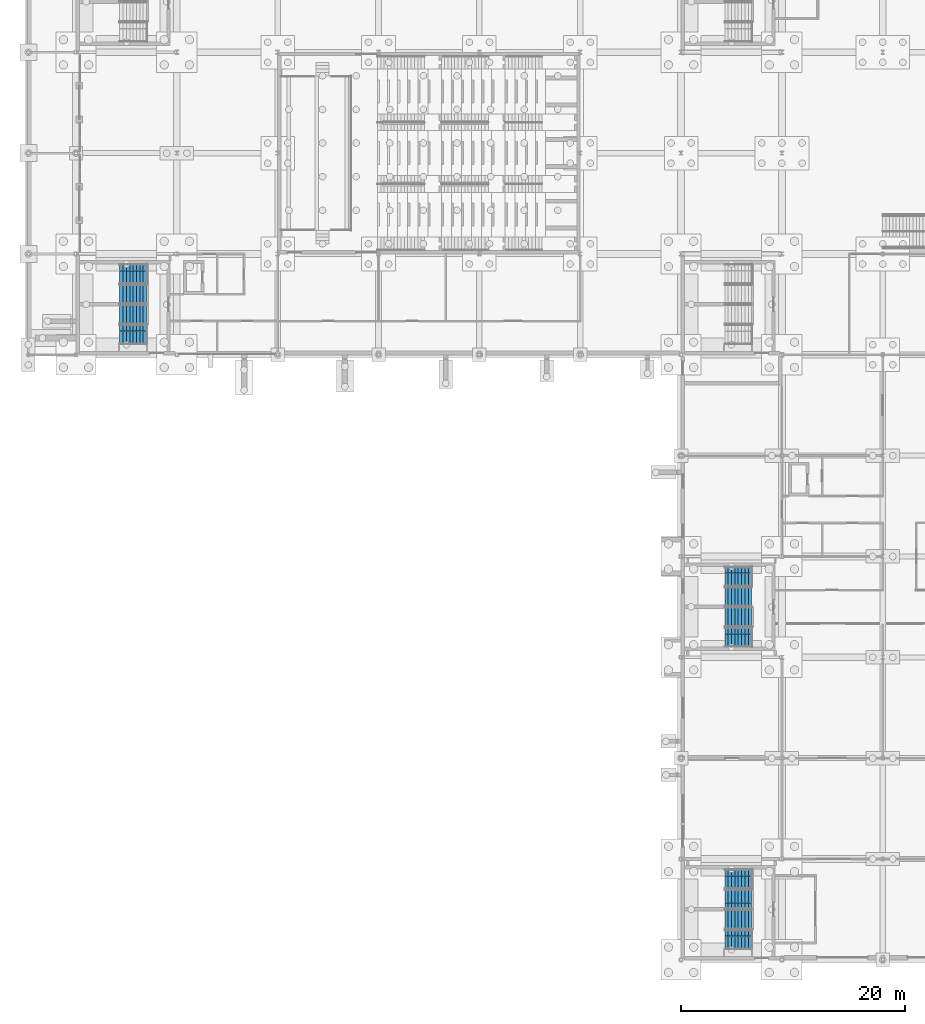
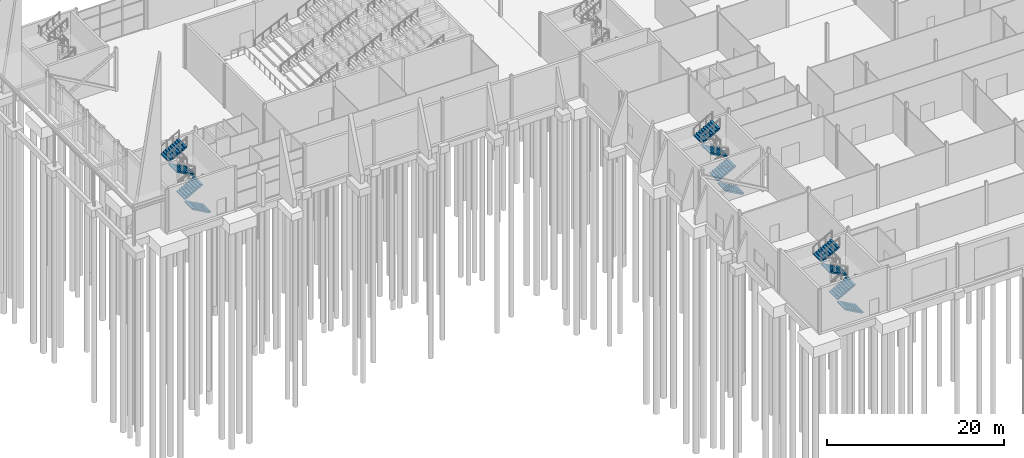
# One storey, part 114 of 139: 12 stair flights, 3 elements without a shape of their own.
"""IFC4 building model written with IfcOpenShell, lengths in metres."""

from ifc_helpers import new_model, si_unit, direction, frame, origin, place, context, subcontext, project, spatial, polyline, outline, extrude, material, type_object, element, aggregate, save


model = new_model("IFC4")

# Units and contexts
model_context = context("Model", 3, precision=1e-05, world=origin(), true_north=direction((0.0, 1.0)))
body_context = subcontext(model_context, "Body", "Model", "MODEL_VIEW")
ifc_project = project(units=[si_unit("LENGTHUNIT", "METRE"), si_unit("AREAUNIT", "SQUARE_METRE"), si_unit("VOLUMEUNIT", "CUBIC_METRE"), si_unit("PLANEANGLEUNIT", "RADIAN"), si_unit("MASSUNIT", "GRAM", prefix="KILO")], contexts=[model_context])

# Site, building, storey
site_placement = place(None, origin())
site = spatial("IfcSite", under=ifc_project, at=site_placement, CompositionType="ELEMENT")
building_placement = place(site_placement, origin())
building = spatial("IfcBuilding", under=site, at=building_placement, Name="Shorebreak Coast Museum", CompositionType="ELEMENT")
storey_placement = place(building_placement, origin())
storey = spatial("IfcBuildingStorey", under=building, at=storey_placement, Name="L00", CompositionType="ELEMENT", Elevation=0.0)

# Stair, stair flights
ifc_material_1 = material(Name="Concrete N40 (40 MPa)", Category="concrete")
stair_type = type_object("IfcStairType", Name="Stair run 6 m", PredefinedType="DOUBLE_RETURN_STAIR", material=ifc_material_1)
stair_1_placement = place(storey_placement, origin())
stair_1 = element("IfcStair", 1, at=stair_1_placement, inside=storey, type_object=stair_type, Name="Exit stair ST05-L00", PredefinedType="DOUBLE_RETURN_STAIR")
ifc_material_2 = material(Name="Concrete N40 (40 MPa)", Category="concrete")
stair_flight_type = type_object("IfcStairFlightType", Name="Stair flight 9 risers 166.67", PredefinedType="STRAIGHT", material=ifc_material_2)
stair_flight_1_placement = place(storey_placement, frame((6.300048828125, 55.800048828125, 0.0), z_axis=(0.0, 0.0, 1.0), x_axis=(-1.0, 0.0, 0.0)))
stair_flight_1 = element("IfcStairFlight", 2, at=stair_flight_1_placement, type_object=stair_flight_type, Name="ST05-L00 flight 1", NumberOfRisers=9, NumberOfTreads=8, PredefinedType="STRAIGHT", RiserHeight=0.166666667, TreadLength=0.3, context=body_context, shape_type="SweptSolid", body=[
    extrude(outline(polyline([(0.0, 0.0), (0.0, 0.166748046875), (0.300048828125, 0.166748046875), (0.300048828125, 0.333251953125), (0.60009765625, 0.333251953125), (0.60009765625, 0.5), (0.89990234375, 0.5), (0.89990234375, 0.666748046875), (1.199951171875, 0.666748046875), (1.199951171875, 0.833251953125), (1.5, 0.833251953125), (1.5, 1.0), (1.800048828125, 1.0), (1.800048828125, 1.166748046875), (2.10009765625, 1.166748046875), (2.10009765625, 1.333251953125), (2.39990234375, 1.333251953125), (2.39990234375, 1.5), (2.39990234375, 1.161865234375), (0.30859375, 0.0), (0.0, 0.0)])), frame((0.0, 0.89990234375, 0.0), z_axis=(0.0, -1.0, 0.0), x_axis=(1.0, 0.0, 0.0)), (0.0, 0.0, 1.0), 0.59326171875),
    extrude(outline(polyline([(0.0, 0.0), (0.0, 0.166748046875), (0.300048828125, 0.166748046875), (0.300048828125, 0.333251953125), (0.60009765625, 0.333251953125), (0.60009765625, 0.5), (0.89990234375, 0.5), (0.89990234375, 0.666748046875), (1.199951171875, 0.666748046875), (1.199951171875, 0.833251953125), (1.5, 0.833251953125), (1.5, 1.0), (1.800048828125, 1.0), (1.800048828125, 1.166748046875), (2.10009765625, 1.166748046875), (2.10009765625, 1.333251953125), (2.39990234375, 1.333251953125), (2.39990234375, 1.5), (2.39990234375, 1.161865234375), (0.30859375, 0.0), (0.0, 0.0)])), frame((0.0, 0.296630859375, 0.0), z_axis=(0.0, -1.0, 0.0), x_axis=(1.0, 0.0, 0.0)), (0.0, 0.0, 1.0), 0.59326171875),
    extrude(outline(polyline([(0.0, 0.0), (0.0, 0.166748046875), (0.300048828125, 0.166748046875), (0.300048828125, 0.333251953125), (0.60009765625, 0.333251953125), (0.60009765625, 0.5), (0.89990234375, 0.5), (0.89990234375, 0.666748046875), (1.199951171875, 0.666748046875), (1.199951171875, 0.833251953125), (1.5, 0.833251953125), (1.5, 1.0), (1.800048828125, 1.0), (1.800048828125, 1.166748046875), (2.10009765625, 1.166748046875), (2.10009765625, 1.333251953125), (2.39990234375, 1.333251953125), (2.39990234375, 1.5), (2.39990234375, 1.161865234375), (0.30859375, 0.0), (0.0, 0.0)])), frame((0.0, -0.306640625, 0.0), z_axis=(0.0, -1.0, 0.0), x_axis=(1.0, 0.0, 0.0)), (0.0, 0.0, 1.0), 0.59326171875),
])
stair_flight_2_placement = place(storey_placement, frame((3.89990234375, 57.60009765625, 1.5), z_axis=(0.0, 0.0, 1.0), x_axis=(1.0, 0.0, 0.0)))
stair_flight_2 = element("IfcStairFlight", 3, at=stair_flight_2_placement, type_object=stair_flight_type, Name="ST05-L00 flight 2", NumberOfRisers=9, NumberOfTreads=8, PredefinedType="STRAIGHT", RiserHeight=0.166666667, TreadLength=0.3, context=body_context, shape_type="SweptSolid", body=[
    extrude(outline(polyline([(0.0, 0.0), (0.0, 0.166748046875), (0.300048828125, 0.166748046875), (0.300048828125, 0.333251953125), (0.60009765625, 0.333251953125), (0.60009765625, 0.5), (0.89990234375, 0.5), (0.89990234375, 0.666748046875), (1.199951171875, 0.666748046875), (1.199951171875, 0.833251953125), (1.5, 0.833251953125), (1.5, 1.0), (1.800048828125, 1.0), (1.800048828125, 1.166748046875), (2.10009765625, 1.166748046875), (2.10009765625, 1.333251953125), (2.39990234375, 1.333251953125), (2.39990234375, 1.5), (2.39990234375, 1.161865234375), (0.30859375, 0.0), (0.0, 0.0)])), frame((0.0, 0.89990234375, 0.0), z_axis=(0.0, -1.0, 0.0), x_axis=(1.0, 0.0, 0.0)), (0.0, 0.0, 1.0), 0.59326171875),
    extrude(outline(polyline([(0.0, 0.0), (0.0, 0.166748046875), (0.300048828125, 0.166748046875), (0.300048828125, 0.333251953125), (0.60009765625, 0.333251953125), (0.60009765625, 0.5), (0.89990234375, 0.5), (0.89990234375, 0.666748046875), (1.199951171875, 0.666748046875), (1.199951171875, 0.833251953125), (1.5, 0.833251953125), (1.5, 1.0), (1.800048828125, 1.0), (1.800048828125, 1.166748046875), (2.10009765625, 1.166748046875), (2.10009765625, 1.333251953125), (2.39990234375, 1.333251953125), (2.39990234375, 1.5), (2.39990234375, 1.161865234375), (0.30859375, 0.0), (0.0, 0.0)])), frame((0.0, 0.296630859375, 0.0), z_axis=(0.0, -1.0, 0.0), x_axis=(1.0, 0.0, 0.0)), (0.0, 0.0, 1.0), 0.59326171875),
    extrude(outline(polyline([(0.0, 0.0), (0.0, 0.166748046875), (0.300048828125, 0.166748046875), (0.300048828125, 0.333251953125), (0.60009765625, 0.333251953125), (0.60009765625, 0.5), (0.89990234375, 0.5), (0.89990234375, 0.666748046875), (1.199951171875, 0.666748046875), (1.199951171875, 0.833251953125), (1.5, 0.833251953125), (1.5, 1.0), (1.800048828125, 1.0), (1.800048828125, 1.166748046875), (2.10009765625, 1.166748046875), (2.10009765625, 1.333251953125), (2.39990234375, 1.333251953125), (2.39990234375, 1.5), (2.39990234375, 1.161865234375), (0.30859375, 0.0), (0.0, 0.0)])), frame((0.0, -0.306640625, 0.0), z_axis=(0.0, -1.0, 0.0), x_axis=(1.0, 0.0, 0.0)), (0.0, 0.0, 1.0), 0.59326171875),
])
stair_flight_3_placement = place(storey_placement, frame((6.300048828125, 59.39990234375, 3.0), z_axis=(0.0, 0.0, 1.0), x_axis=(-1.0, 0.0, 0.0)))
stair_flight_3 = element("IfcStairFlight", 4, at=stair_flight_3_placement, type_object=stair_flight_type, Name="ST05-L00 flight 3", NumberOfRisers=9, NumberOfTreads=8, PredefinedType="STRAIGHT", RiserHeight=0.166666667, TreadLength=0.3, context=body_context, shape_type="SweptSolid", body=[
    extrude(outline(polyline([(0.0, 0.0), (0.0, 0.166748046875), (0.300048828125, 0.166748046875), (0.300048828125, 0.333251953125), (0.60009765625, 0.333251953125), (0.60009765625, 0.5), (0.89990234375, 0.5), (0.89990234375, 0.666748046875), (1.199951171875, 0.666748046875), (1.199951171875, 0.833251953125), (1.5, 0.833251953125), (1.5, 1.0), (1.800048828125, 1.0), (1.800048828125, 1.166748046875), (2.10009765625, 1.166748046875), (2.10009765625, 1.333251953125), (2.39990234375, 1.333251953125), (2.39990234375, 1.5), (2.39990234375, 1.161865234375), (0.30859375, 0.0), (0.0, 0.0)])), frame((0.0, 0.89990234375, 0.0), z_axis=(0.0, -1.0, 0.0), x_axis=(1.0, 0.0, 0.0)), (0.0, 0.0, 1.0), 0.59326171875),
    extrude(outline(polyline([(0.0, 0.0), (0.0, 0.166748046875), (0.300048828125, 0.166748046875), (0.300048828125, 0.333251953125), (0.60009765625, 0.333251953125), (0.60009765625, 0.5), (0.89990234375, 0.5), (0.89990234375, 0.666748046875), (1.199951171875, 0.666748046875), (1.199951171875, 0.833251953125), (1.5, 0.833251953125), (1.5, 1.0), (1.800048828125, 1.0), (1.800048828125, 1.166748046875), (2.10009765625, 1.166748046875), (2.10009765625, 1.333251953125), (2.39990234375, 1.333251953125), (2.39990234375, 1.5), (2.39990234375, 1.161865234375), (0.30859375, 0.0), (0.0, 0.0)])), frame((0.0, 0.296630859375, 0.0), z_axis=(0.0, -1.0, 0.0), x_axis=(1.0, 0.0, 0.0)), (0.0, 0.0, 1.0), 0.59326171875),
    extrude(outline(polyline([(0.0, 0.0), (0.0, 0.166748046875), (0.300048828125, 0.166748046875), (0.300048828125, 0.333251953125), (0.60009765625, 0.333251953125), (0.60009765625, 0.5), (0.89990234375, 0.5), (0.89990234375, 0.666748046875), (1.199951171875, 0.666748046875), (1.199951171875, 0.833251953125), (1.5, 0.833251953125), (1.5, 1.0), (1.800048828125, 1.0), (1.800048828125, 1.166748046875), (2.10009765625, 1.166748046875), (2.10009765625, 1.333251953125), (2.39990234375, 1.333251953125), (2.39990234375, 1.5), (2.39990234375, 1.161865234375), (0.30859375, 0.0), (0.0, 0.0)])), frame((0.0, -0.306640625, 0.0), z_axis=(0.0, -1.0, 0.0), x_axis=(1.0, 0.0, 0.0)), (0.0, 0.0, 1.0), 0.59326171875),
])
stair_flight_4_placement = place(storey_placement, frame((3.89990234375, 61.199951171875, 4.5), z_axis=(0.0, 0.0, 1.0), x_axis=(1.0, 0.0, 0.0)))
stair_flight_4 = element("IfcStairFlight", 5, at=stair_flight_4_placement, type_object=stair_flight_type, Name="ST05-L00 flight 4", NumberOfRisers=9, NumberOfTreads=8, PredefinedType="STRAIGHT", RiserHeight=0.166666667, TreadLength=0.3, context=body_context, shape_type="SweptSolid", body=[
    extrude(outline(polyline([(0.0, 0.0), (0.0, 0.166748046875), (0.300048828125, 0.166748046875), (0.300048828125, 0.333251953125), (0.60009765625, 0.333251953125), (0.60009765625, 0.5), (0.89990234375, 0.5), (0.89990234375, 0.666748046875), (1.199951171875, 0.666748046875), (1.199951171875, 0.833251953125), (1.5, 0.833251953125), (1.5, 1.0), (1.800048828125, 1.0), (1.800048828125, 1.166748046875), (2.10009765625, 1.166748046875), (2.10009765625, 1.333251953125), (2.39990234375, 1.333251953125), (2.39990234375, 1.5), (2.39990234375, 1.161865234375), (0.30859375, 0.0), (0.0, 0.0)])), frame((0.0, 0.89990234375, 0.0), z_axis=(0.0, -1.0, 0.0), x_axis=(1.0, 0.0, 0.0)), (0.0, 0.0, 1.0), 0.59326171875),
    extrude(outline(polyline([(0.0, 0.0), (0.0, 0.166748046875), (0.300048828125, 0.166748046875), (0.300048828125, 0.333251953125), (0.60009765625, 0.333251953125), (0.60009765625, 0.5), (0.89990234375, 0.5), (0.89990234375, 0.666748046875), (1.199951171875, 0.666748046875), (1.199951171875, 0.833251953125), (1.5, 0.833251953125), (1.5, 1.0), (1.800048828125, 1.0), (1.800048828125, 1.166748046875), (2.10009765625, 1.166748046875), (2.10009765625, 1.333251953125), (2.39990234375, 1.333251953125), (2.39990234375, 1.5), (2.39990234375, 1.161865234375), (0.30859375, 0.0), (0.0, 0.0)])), frame((0.0, 0.296630859375, 0.0), z_axis=(0.0, -1.0, 0.0), x_axis=(1.0, 0.0, 0.0)), (0.0, 0.0, 1.0), 0.59326171875),
    extrude(outline(polyline([(0.0, 0.0), (0.0, 0.166748046875), (0.300048828125, 0.166748046875), (0.300048828125, 0.333251953125), (0.60009765625, 0.333251953125), (0.60009765625, 0.5), (0.89990234375, 0.5), (0.89990234375, 0.666748046875), (1.199951171875, 0.666748046875), (1.199951171875, 0.833251953125), (1.5, 0.833251953125), (1.5, 1.0), (1.800048828125, 1.0), (1.800048828125, 1.166748046875), (2.10009765625, 1.166748046875), (2.10009765625, 1.333251953125), (2.39990234375, 1.333251953125), (2.39990234375, 1.5), (2.39990234375, 1.161865234375), (0.30859375, 0.0), (0.0, 0.0)])), frame((0.0, -0.306640625, 0.0), z_axis=(0.0, -1.0, 0.0), x_axis=(1.0, 0.0, 0.0)), (0.0, 0.0, 1.0), 0.59326171875),
])
aggregate(stair_1, [stair_flight_1, stair_flight_2, stair_flight_3, stair_flight_4])

stair_2_placement = place(storey_placement, origin())
stair_2 = element("IfcStair", 6, at=stair_2_placement, inside=storey, type_object=stair_type, Name="Exit stair ST11-L00", PredefinedType="DOUBLE_RETURN_STAIR")
stair_flight_5_placement = place(storey_placement, frame((60.300048828125, 1.800048828125, 0.0), z_axis=(0.0, 0.0, 1.0), x_axis=(-1.0, 0.0, 0.0)))
stair_flight_5 = element("IfcStairFlight", 7, at=stair_flight_5_placement, type_object=stair_flight_type, Name="ST11-L00 flight 1", NumberOfRisers=9, NumberOfTreads=8, PredefinedType="STRAIGHT", RiserHeight=0.166666667, TreadLength=0.3, context=body_context, shape_type="SweptSolid", body=[
    extrude(outline(polyline([(0.0, 0.0), (0.0, 0.166748046875), (0.300048828125, 0.166748046875), (0.300048828125, 0.333251953125), (0.60009765625, 0.333251953125), (0.60009765625, 0.5), (0.89990234375, 0.5), (0.89990234375, 0.666748046875), (1.199951171875, 0.666748046875), (1.199951171875, 0.833251953125), (1.5, 0.833251953125), (1.5, 1.0), (1.800048828125, 1.0), (1.800048828125, 1.166748046875), (2.10009765625, 1.166748046875), (2.10009765625, 1.333251953125), (2.39990234375, 1.333251953125), (2.39990234375, 1.5), (2.39990234375, 1.161865234375), (0.30859375, 0.0), (0.0, 0.0)])), frame((0.0, 0.89990234375, 0.0), z_axis=(0.0, -1.0, 0.0), x_axis=(1.0, 0.0, 0.0)), (0.0, 0.0, 1.0), 0.59326171875),
    extrude(outline(polyline([(0.0, 0.0), (0.0, 0.166748046875), (0.300048828125, 0.166748046875), (0.300048828125, 0.333251953125), (0.60009765625, 0.333251953125), (0.60009765625, 0.5), (0.89990234375, 0.5), (0.89990234375, 0.666748046875), (1.199951171875, 0.666748046875), (1.199951171875, 0.833251953125), (1.5, 0.833251953125), (1.5, 1.0), (1.800048828125, 1.0), (1.800048828125, 1.166748046875), (2.10009765625, 1.166748046875), (2.10009765625, 1.333251953125), (2.39990234375, 1.333251953125), (2.39990234375, 1.5), (2.39990234375, 1.161865234375), (0.30859375, 0.0), (0.0, 0.0)])), frame((0.0, 0.296630859375, 0.0), z_axis=(0.0, -1.0, 0.0), x_axis=(1.0, 0.0, 0.0)), (0.0, 0.0, 1.0), 0.59326171875),
    extrude(outline(polyline([(0.0, 0.0), (0.0, 0.166748046875), (0.300048828125, 0.166748046875), (0.300048828125, 0.333251953125), (0.60009765625, 0.333251953125), (0.60009765625, 0.5), (0.89990234375, 0.5), (0.89990234375, 0.666748046875), (1.199951171875, 0.666748046875), (1.199951171875, 0.833251953125), (1.5, 0.833251953125), (1.5, 1.0), (1.800048828125, 1.0), (1.800048828125, 1.166748046875), (2.10009765625, 1.166748046875), (2.10009765625, 1.333251953125), (2.39990234375, 1.333251953125), (2.39990234375, 1.5), (2.39990234375, 1.161865234375), (0.30859375, 0.0), (0.0, 0.0)])), frame((0.0, -0.306640625, 0.0), z_axis=(0.0, -1.0, 0.0), x_axis=(1.0, 0.0, 0.0)), (0.0, 0.0, 1.0), 0.59326171875),
])
stair_flight_6_placement = place(storey_placement, frame((57.89990234375, 3.60009765625, 1.5), z_axis=(0.0, 0.0, 1.0), x_axis=(1.0, 0.0, 0.0)))
stair_flight_6 = element("IfcStairFlight", 8, at=stair_flight_6_placement, type_object=stair_flight_type, Name="ST11-L00 flight 2", NumberOfRisers=9, NumberOfTreads=8, PredefinedType="STRAIGHT", RiserHeight=0.166666667, TreadLength=0.3, context=body_context, shape_type="SweptSolid", body=[
    extrude(outline(polyline([(0.0, 0.0), (0.0, 0.166748046875), (0.300048828125, 0.166748046875), (0.300048828125, 0.333251953125), (0.60009765625, 0.333251953125), (0.60009765625, 0.5), (0.89990234375, 0.5), (0.89990234375, 0.666748046875), (1.199951171875, 0.666748046875), (1.199951171875, 0.833251953125), (1.5, 0.833251953125), (1.5, 1.0), (1.800048828125, 1.0), (1.800048828125, 1.166748046875), (2.10009765625, 1.166748046875), (2.10009765625, 1.333251953125), (2.39990234375, 1.333251953125), (2.39990234375, 1.5), (2.39990234375, 1.161865234375), (0.30859375, 0.0), (0.0, 0.0)])), frame((0.0, 0.89990234375, 0.0), z_axis=(0.0, -1.0, 0.0), x_axis=(1.0, 0.0, 0.0)), (0.0, 0.0, 1.0), 0.59326171875),
    extrude(outline(polyline([(0.0, 0.0), (0.0, 0.166748046875), (0.300048828125, 0.166748046875), (0.300048828125, 0.333251953125), (0.60009765625, 0.333251953125), (0.60009765625, 0.5), (0.89990234375, 0.5), (0.89990234375, 0.666748046875), (1.199951171875, 0.666748046875), (1.199951171875, 0.833251953125), (1.5, 0.833251953125), (1.5, 1.0), (1.800048828125, 1.0), (1.800048828125, 1.166748046875), (2.10009765625, 1.166748046875), (2.10009765625, 1.333251953125), (2.39990234375, 1.333251953125), (2.39990234375, 1.5), (2.39990234375, 1.161865234375), (0.30859375, 0.0), (0.0, 0.0)])), frame((0.0, 0.296630859375, 0.0), z_axis=(0.0, -1.0, 0.0), x_axis=(1.0, 0.0, 0.0)), (0.0, 0.0, 1.0), 0.59326171875),
    extrude(outline(polyline([(0.0, 0.0), (0.0, 0.166748046875), (0.300048828125, 0.166748046875), (0.300048828125, 0.333251953125), (0.60009765625, 0.333251953125), (0.60009765625, 0.5), (0.89990234375, 0.5), (0.89990234375, 0.666748046875), (1.199951171875, 0.666748046875), (1.199951171875, 0.833251953125), (1.5, 0.833251953125), (1.5, 1.0), (1.800048828125, 1.0), (1.800048828125, 1.166748046875), (2.10009765625, 1.166748046875), (2.10009765625, 1.333251953125), (2.39990234375, 1.333251953125), (2.39990234375, 1.5), (2.39990234375, 1.161865234375), (0.30859375, 0.0), (0.0, 0.0)])), frame((0.0, -0.306640625, 0.0), z_axis=(0.0, -1.0, 0.0), x_axis=(1.0, 0.0, 0.0)), (0.0, 0.0, 1.0), 0.59326171875),
])
stair_flight_7_placement = place(storey_placement, frame((60.300048828125, 5.39990234375, 3.0), z_axis=(0.0, 0.0, 1.0), x_axis=(-1.0, 0.0, 0.0)))
stair_flight_7 = element("IfcStairFlight", 9, at=stair_flight_7_placement, type_object=stair_flight_type, Name="ST11-L00 flight 3", NumberOfRisers=9, NumberOfTreads=8, PredefinedType="STRAIGHT", RiserHeight=0.166666667, TreadLength=0.3, context=body_context, shape_type="SweptSolid", body=[
    extrude(outline(polyline([(0.0, 0.0), (0.0, 0.166748046875), (0.300048828125, 0.166748046875), (0.300048828125, 0.333251953125), (0.60009765625, 0.333251953125), (0.60009765625, 0.5), (0.89990234375, 0.5), (0.89990234375, 0.666748046875), (1.199951171875, 0.666748046875), (1.199951171875, 0.833251953125), (1.5, 0.833251953125), (1.5, 1.0), (1.800048828125, 1.0), (1.800048828125, 1.166748046875), (2.10009765625, 1.166748046875), (2.10009765625, 1.333251953125), (2.39990234375, 1.333251953125), (2.39990234375, 1.5), (2.39990234375, 1.161865234375), (0.30859375, 0.0), (0.0, 0.0)])), frame((0.0, 0.89990234375, 0.0), z_axis=(0.0, -1.0, 0.0), x_axis=(1.0, 0.0, 0.0)), (0.0, 0.0, 1.0), 0.59326171875),
    extrude(outline(polyline([(0.0, 0.0), (0.0, 0.166748046875), (0.300048828125, 0.166748046875), (0.300048828125, 0.333251953125), (0.60009765625, 0.333251953125), (0.60009765625, 0.5), (0.89990234375, 0.5), (0.89990234375, 0.666748046875), (1.199951171875, 0.666748046875), (1.199951171875, 0.833251953125), (1.5, 0.833251953125), (1.5, 1.0), (1.800048828125, 1.0), (1.800048828125, 1.166748046875), (2.10009765625, 1.166748046875), (2.10009765625, 1.333251953125), (2.39990234375, 1.333251953125), (2.39990234375, 1.5), (2.39990234375, 1.161865234375), (0.30859375, 0.0), (0.0, 0.0)])), frame((0.0, 0.296630859375, 0.0), z_axis=(0.0, -1.0, 0.0), x_axis=(1.0, 0.0, 0.0)), (0.0, 0.0, 1.0), 0.59326171875),
    extrude(outline(polyline([(0.0, 0.0), (0.0, 0.166748046875), (0.300048828125, 0.166748046875), (0.300048828125, 0.333251953125), (0.60009765625, 0.333251953125), (0.60009765625, 0.5), (0.89990234375, 0.5), (0.89990234375, 0.666748046875), (1.199951171875, 0.666748046875), (1.199951171875, 0.833251953125), (1.5, 0.833251953125), (1.5, 1.0), (1.800048828125, 1.0), (1.800048828125, 1.166748046875), (2.10009765625, 1.166748046875), (2.10009765625, 1.333251953125), (2.39990234375, 1.333251953125), (2.39990234375, 1.5), (2.39990234375, 1.161865234375), (0.30859375, 0.0), (0.0, 0.0)])), frame((0.0, -0.306640625, 0.0), z_axis=(0.0, -1.0, 0.0), x_axis=(1.0, 0.0, 0.0)), (0.0, 0.0, 1.0), 0.59326171875),
])
stair_flight_8_placement = place(storey_placement, frame((57.89990234375, 7.199951171875, 4.5), z_axis=(0.0, 0.0, 1.0), x_axis=(1.0, 0.0, 0.0)))
stair_flight_8 = element("IfcStairFlight", 10, at=stair_flight_8_placement, type_object=stair_flight_type, Name="ST11-L00 flight 4", NumberOfRisers=9, NumberOfTreads=8, PredefinedType="STRAIGHT", RiserHeight=0.166666667, TreadLength=0.3, context=body_context, shape_type="SweptSolid", body=[
    extrude(outline(polyline([(0.0, 0.0), (0.0, 0.166748046875), (0.300048828125, 0.166748046875), (0.300048828125, 0.333251953125), (0.60009765625, 0.333251953125), (0.60009765625, 0.5), (0.89990234375, 0.5), (0.89990234375, 0.666748046875), (1.199951171875, 0.666748046875), (1.199951171875, 0.833251953125), (1.5, 0.833251953125), (1.5, 1.0), (1.800048828125, 1.0), (1.800048828125, 1.166748046875), (2.10009765625, 1.166748046875), (2.10009765625, 1.333251953125), (2.39990234375, 1.333251953125), (2.39990234375, 1.5), (2.39990234375, 1.161865234375), (0.30859375, 0.0), (0.0, 0.0)])), frame((0.0, 0.89990234375, 0.0), z_axis=(0.0, -1.0, 0.0), x_axis=(1.0, 0.0, 0.0)), (0.0, 0.0, 1.0), 0.59326171875),
    extrude(outline(polyline([(0.0, 0.0), (0.0, 0.166748046875), (0.300048828125, 0.166748046875), (0.300048828125, 0.333251953125), (0.60009765625, 0.333251953125), (0.60009765625, 0.5), (0.89990234375, 0.5), (0.89990234375, 0.666748046875), (1.199951171875, 0.666748046875), (1.199951171875, 0.833251953125), (1.5, 0.833251953125), (1.5, 1.0), (1.800048828125, 1.0), (1.800048828125, 1.166748046875), (2.10009765625, 1.166748046875), (2.10009765625, 1.333251953125), (2.39990234375, 1.333251953125), (2.39990234375, 1.5), (2.39990234375, 1.161865234375), (0.30859375, 0.0), (0.0, 0.0)])), frame((0.0, 0.296630859375, 0.0), z_axis=(0.0, -1.0, 0.0), x_axis=(1.0, 0.0, 0.0)), (0.0, 0.0, 1.0), 0.59326171875),
    extrude(outline(polyline([(0.0, 0.0), (0.0, 0.166748046875), (0.300048828125, 0.166748046875), (0.300048828125, 0.333251953125), (0.60009765625, 0.333251953125), (0.60009765625, 0.5), (0.89990234375, 0.5), (0.89990234375, 0.666748046875), (1.199951171875, 0.666748046875), (1.199951171875, 0.833251953125), (1.5, 0.833251953125), (1.5, 1.0), (1.800048828125, 1.0), (1.800048828125, 1.166748046875), (2.10009765625, 1.166748046875), (2.10009765625, 1.333251953125), (2.39990234375, 1.333251953125), (2.39990234375, 1.5), (2.39990234375, 1.161865234375), (0.30859375, 0.0), (0.0, 0.0)])), frame((0.0, -0.306640625, 0.0), z_axis=(0.0, -1.0, 0.0), x_axis=(1.0, 0.0, 0.0)), (0.0, 0.0, 1.0), 0.59326171875),
])
aggregate(stair_2, [stair_flight_5, stair_flight_6, stair_flight_7, stair_flight_8])

stair_3_placement = place(storey_placement, origin())
stair_3 = element("IfcStair", 11, at=stair_3_placement, inside=storey, type_object=stair_type, Name="Exit stair ST13-L00", PredefinedType="DOUBLE_RETURN_STAIR")
stair_flight_9_placement = place(storey_placement, frame((60.300048828125, 28.800048828125, 0.0), z_axis=(0.0, 0.0, 1.0), x_axis=(-1.0, 0.0, 0.0)))
stair_flight_9 = element("IfcStairFlight", 12, at=stair_flight_9_placement, type_object=stair_flight_type, Name="ST13-L00 flight 1", NumberOfRisers=9, NumberOfTreads=8, PredefinedType="STRAIGHT", RiserHeight=0.166666667, TreadLength=0.3, context=body_context, shape_type="SweptSolid", body=[
    extrude(outline(polyline([(0.0, 0.0), (0.0, 0.166748046875), (0.300048828125, 0.166748046875), (0.300048828125, 0.333251953125), (0.60009765625, 0.333251953125), (0.60009765625, 0.5), (0.89990234375, 0.5), (0.89990234375, 0.666748046875), (1.199951171875, 0.666748046875), (1.199951171875, 0.833251953125), (1.5, 0.833251953125), (1.5, 1.0), (1.800048828125, 1.0), (1.800048828125, 1.166748046875), (2.10009765625, 1.166748046875), (2.10009765625, 1.333251953125), (2.39990234375, 1.333251953125), (2.39990234375, 1.5), (2.39990234375, 1.161865234375), (0.30859375, 0.0), (0.0, 0.0)])), frame((0.0, 0.89990234375, 0.0), z_axis=(0.0, -1.0, 0.0), x_axis=(1.0, 0.0, 0.0)), (0.0, 0.0, 1.0), 0.59326171875),
    extrude(outline(polyline([(0.0, 0.0), (0.0, 0.166748046875), (0.300048828125, 0.166748046875), (0.300048828125, 0.333251953125), (0.60009765625, 0.333251953125), (0.60009765625, 0.5), (0.89990234375, 0.5), (0.89990234375, 0.666748046875), (1.199951171875, 0.666748046875), (1.199951171875, 0.833251953125), (1.5, 0.833251953125), (1.5, 1.0), (1.800048828125, 1.0), (1.800048828125, 1.166748046875), (2.10009765625, 1.166748046875), (2.10009765625, 1.333251953125), (2.39990234375, 1.333251953125), (2.39990234375, 1.5), (2.39990234375, 1.161865234375), (0.30859375, 0.0), (0.0, 0.0)])), frame((0.0, 0.296630859375, 0.0), z_axis=(0.0, -1.0, 0.0), x_axis=(1.0, 0.0, 0.0)), (0.0, 0.0, 1.0), 0.59326171875),
    extrude(outline(polyline([(0.0, 0.0), (0.0, 0.166748046875), (0.300048828125, 0.166748046875), (0.300048828125, 0.333251953125), (0.60009765625, 0.333251953125), (0.60009765625, 0.5), (0.89990234375, 0.5), (0.89990234375, 0.666748046875), (1.199951171875, 0.666748046875), (1.199951171875, 0.833251953125), (1.5, 0.833251953125), (1.5, 1.0), (1.800048828125, 1.0), (1.800048828125, 1.166748046875), (2.10009765625, 1.166748046875), (2.10009765625, 1.333251953125), (2.39990234375, 1.333251953125), (2.39990234375, 1.5), (2.39990234375, 1.161865234375), (0.30859375, 0.0), (0.0, 0.0)])), frame((0.0, -0.306640625, 0.0), z_axis=(0.0, -1.0, 0.0), x_axis=(1.0, 0.0, 0.0)), (0.0, 0.0, 1.0), 0.59326171875),
])
stair_flight_10_placement = place(storey_placement, frame((57.89990234375, 30.60009765625, 1.5), z_axis=(0.0, 0.0, 1.0), x_axis=(1.0, 0.0, 0.0)))
stair_flight_10 = element("IfcStairFlight", 13, at=stair_flight_10_placement, type_object=stair_flight_type, Name="ST13-L00 flight 2", NumberOfRisers=9, NumberOfTreads=8, PredefinedType="STRAIGHT", RiserHeight=0.166666667, TreadLength=0.3, context=body_context, shape_type="SweptSolid", body=[
    extrude(outline(polyline([(0.0, 0.0), (0.0, 0.166748046875), (0.300048828125, 0.166748046875), (0.300048828125, 0.333251953125), (0.60009765625, 0.333251953125), (0.60009765625, 0.5), (0.89990234375, 0.5), (0.89990234375, 0.666748046875), (1.199951171875, 0.666748046875), (1.199951171875, 0.833251953125), (1.5, 0.833251953125), (1.5, 1.0), (1.800048828125, 1.0), (1.800048828125, 1.166748046875), (2.10009765625, 1.166748046875), (2.10009765625, 1.333251953125), (2.39990234375, 1.333251953125), (2.39990234375, 1.5), (2.39990234375, 1.161865234375), (0.30859375, 0.0), (0.0, 0.0)])), frame((0.0, 0.89990234375, 0.0), z_axis=(0.0, -1.0, 0.0), x_axis=(1.0, 0.0, 0.0)), (0.0, 0.0, 1.0), 0.59326171875),
    extrude(outline(polyline([(0.0, 0.0), (0.0, 0.166748046875), (0.300048828125, 0.166748046875), (0.300048828125, 0.333251953125), (0.60009765625, 0.333251953125), (0.60009765625, 0.5), (0.89990234375, 0.5), (0.89990234375, 0.666748046875), (1.199951171875, 0.666748046875), (1.199951171875, 0.833251953125), (1.5, 0.833251953125), (1.5, 1.0), (1.800048828125, 1.0), (1.800048828125, 1.166748046875), (2.10009765625, 1.166748046875), (2.10009765625, 1.333251953125), (2.39990234375, 1.333251953125), (2.39990234375, 1.5), (2.39990234375, 1.161865234375), (0.30859375, 0.0), (0.0, 0.0)])), frame((0.0, 0.296630859375, 0.0), z_axis=(0.0, -1.0, 0.0), x_axis=(1.0, 0.0, 0.0)), (0.0, 0.0, 1.0), 0.59326171875),
    extrude(outline(polyline([(0.0, 0.0), (0.0, 0.166748046875), (0.300048828125, 0.166748046875), (0.300048828125, 0.333251953125), (0.60009765625, 0.333251953125), (0.60009765625, 0.5), (0.89990234375, 0.5), (0.89990234375, 0.666748046875), (1.199951171875, 0.666748046875), (1.199951171875, 0.833251953125), (1.5, 0.833251953125), (1.5, 1.0), (1.800048828125, 1.0), (1.800048828125, 1.166748046875), (2.10009765625, 1.166748046875), (2.10009765625, 1.333251953125), (2.39990234375, 1.333251953125), (2.39990234375, 1.5), (2.39990234375, 1.161865234375), (0.30859375, 0.0), (0.0, 0.0)])), frame((0.0, -0.306640625, 0.0), z_axis=(0.0, -1.0, 0.0), x_axis=(1.0, 0.0, 0.0)), (0.0, 0.0, 1.0), 0.59326171875),
])
stair_flight_11_placement = place(storey_placement, frame((60.300048828125, 32.39990234375, 3.0), z_axis=(0.0, 0.0, 1.0), x_axis=(-1.0, 0.0, 0.0)))
stair_flight_11 = element("IfcStairFlight", 14, at=stair_flight_11_placement, type_object=stair_flight_type, Name="ST13-L00 flight 3", NumberOfRisers=9, NumberOfTreads=8, PredefinedType="STRAIGHT", RiserHeight=0.166666667, TreadLength=0.3, context=body_context, shape_type="SweptSolid", body=[
    extrude(outline(polyline([(0.0, 0.0), (0.0, 0.166748046875), (0.300048828125, 0.166748046875), (0.300048828125, 0.333251953125), (0.60009765625, 0.333251953125), (0.60009765625, 0.5), (0.89990234375, 0.5), (0.89990234375, 0.666748046875), (1.199951171875, 0.666748046875), (1.199951171875, 0.833251953125), (1.5, 0.833251953125), (1.5, 1.0), (1.800048828125, 1.0), (1.800048828125, 1.166748046875), (2.10009765625, 1.166748046875), (2.10009765625, 1.333251953125), (2.39990234375, 1.333251953125), (2.39990234375, 1.5), (2.39990234375, 1.161865234375), (0.30859375, 0.0), (0.0, 0.0)])), frame((0.0, 0.89990234375, 0.0), z_axis=(0.0, -1.0, 0.0), x_axis=(1.0, 0.0, 0.0)), (0.0, 0.0, 1.0), 0.59326171875),
    extrude(outline(polyline([(0.0, 0.0), (0.0, 0.166748046875), (0.300048828125, 0.166748046875), (0.300048828125, 0.333251953125), (0.60009765625, 0.333251953125), (0.60009765625, 0.5), (0.89990234375, 0.5), (0.89990234375, 0.666748046875), (1.199951171875, 0.666748046875), (1.199951171875, 0.833251953125), (1.5, 0.833251953125), (1.5, 1.0), (1.800048828125, 1.0), (1.800048828125, 1.166748046875), (2.10009765625, 1.166748046875), (2.10009765625, 1.333251953125), (2.39990234375, 1.333251953125), (2.39990234375, 1.5), (2.39990234375, 1.161865234375), (0.30859375, 0.0), (0.0, 0.0)])), frame((0.0, 0.296630859375, 0.0), z_axis=(0.0, -1.0, 0.0), x_axis=(1.0, 0.0, 0.0)), (0.0, 0.0, 1.0), 0.59326171875),
    extrude(outline(polyline([(0.0, 0.0), (0.0, 0.166748046875), (0.300048828125, 0.166748046875), (0.300048828125, 0.333251953125), (0.60009765625, 0.333251953125), (0.60009765625, 0.5), (0.89990234375, 0.5), (0.89990234375, 0.666748046875), (1.199951171875, 0.666748046875), (1.199951171875, 0.833251953125), (1.5, 0.833251953125), (1.5, 1.0), (1.800048828125, 1.0), (1.800048828125, 1.166748046875), (2.10009765625, 1.166748046875), (2.10009765625, 1.333251953125), (2.39990234375, 1.333251953125), (2.39990234375, 1.5), (2.39990234375, 1.161865234375), (0.30859375, 0.0), (0.0, 0.0)])), frame((0.0, -0.306640625, 0.0), z_axis=(0.0, -1.0, 0.0), x_axis=(1.0, 0.0, 0.0)), (0.0, 0.0, 1.0), 0.59326171875),
])
stair_flight_12_placement = place(storey_placement, frame((57.89990234375, 34.199951171875, 4.5), z_axis=(0.0, 0.0, 1.0), x_axis=(1.0, 0.0, 0.0)))
stair_flight_12 = element("IfcStairFlight", 15, at=stair_flight_12_placement, type_object=stair_flight_type, Name="ST13-L00 flight 4", NumberOfRisers=9, NumberOfTreads=8, PredefinedType="STRAIGHT", RiserHeight=0.166666667, TreadLength=0.3, context=body_context, shape_type="SweptSolid", body=[
    extrude(outline(polyline([(0.0, 0.0), (0.0, 0.166748046875), (0.300048828125, 0.166748046875), (0.300048828125, 0.333251953125), (0.60009765625, 0.333251953125), (0.60009765625, 0.5), (0.89990234375, 0.5), (0.89990234375, 0.666748046875), (1.199951171875, 0.666748046875), (1.199951171875, 0.833251953125), (1.5, 0.833251953125), (1.5, 1.0), (1.800048828125, 1.0), (1.800048828125, 1.166748046875), (2.10009765625, 1.166748046875), (2.10009765625, 1.333251953125), (2.39990234375, 1.333251953125), (2.39990234375, 1.5), (2.39990234375, 1.161865234375), (0.30859375, 0.0), (0.0, 0.0)])), frame((0.0, 0.89990234375, 0.0), z_axis=(0.0, -1.0, 0.0), x_axis=(1.0, 0.0, 0.0)), (0.0, 0.0, 1.0), 0.59326171875),
    extrude(outline(polyline([(0.0, 0.0), (0.0, 0.166748046875), (0.300048828125, 0.166748046875), (0.300048828125, 0.333251953125), (0.60009765625, 0.333251953125), (0.60009765625, 0.5), (0.89990234375, 0.5), (0.89990234375, 0.666748046875), (1.199951171875, 0.666748046875), (1.199951171875, 0.833251953125), (1.5, 0.833251953125), (1.5, 1.0), (1.800048828125, 1.0), (1.800048828125, 1.166748046875), (2.10009765625, 1.166748046875), (2.10009765625, 1.333251953125), (2.39990234375, 1.333251953125), (2.39990234375, 1.5), (2.39990234375, 1.161865234375), (0.30859375, 0.0), (0.0, 0.0)])), frame((0.0, 0.296630859375, 0.0), z_axis=(0.0, -1.0, 0.0), x_axis=(1.0, 0.0, 0.0)), (0.0, 0.0, 1.0), 0.59326171875),
    extrude(outline(polyline([(0.0, 0.0), (0.0, 0.166748046875), (0.300048828125, 0.166748046875), (0.300048828125, 0.333251953125), (0.60009765625, 0.333251953125), (0.60009765625, 0.5), (0.89990234375, 0.5), (0.89990234375, 0.666748046875), (1.199951171875, 0.666748046875), (1.199951171875, 0.833251953125), (1.5, 0.833251953125), (1.5, 1.0), (1.800048828125, 1.0), (1.800048828125, 1.166748046875), (2.10009765625, 1.166748046875), (2.10009765625, 1.333251953125), (2.39990234375, 1.333251953125), (2.39990234375, 1.5), (2.39990234375, 1.161865234375), (0.30859375, 0.0), (0.0, 0.0)])), frame((0.0, -0.306640625, 0.0), z_axis=(0.0, -1.0, 0.0), x_axis=(1.0, 0.0, 0.0)), (0.0, 0.0, 1.0), 0.59326171875),
])
aggregate(stair_3, [stair_flight_9, stair_flight_10, stair_flight_11, stair_flight_12])

save(model, "model.ifc")
